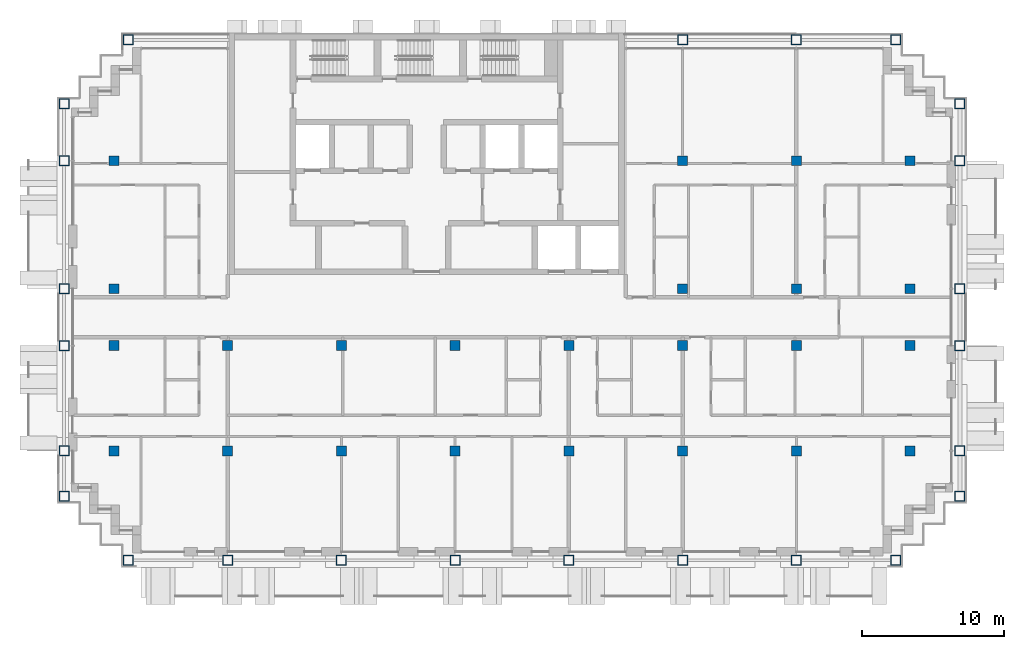
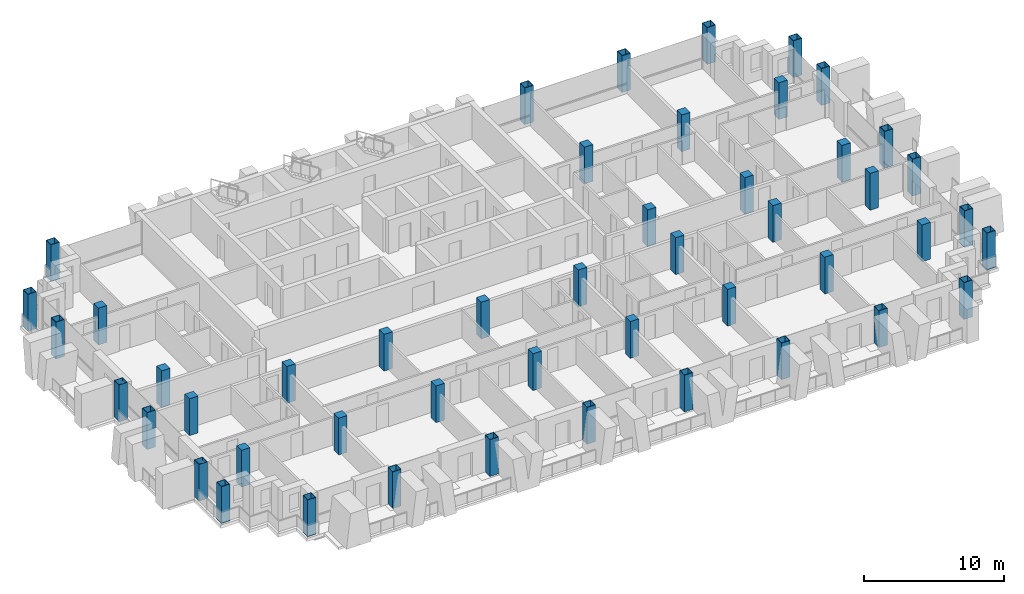
# One storey, part 1 of 16: 48 columns.
"""IFC4 building model written with IfcOpenShell, lengths in metres."""

from ifc_helpers import new_model, si_unit, direction, frame, origin, origin_2d, place, context, subcontext, project, spatial, rectangle, hollow_rectangle, extrude, material, material_profile, profile_set, type_object, element, save


model = new_model("IFC4")

# Units and contexts
model_context = context("Model", 3, precision=1e-05, world=origin(), true_north=direction((0.0, 1.0)))
body_context = subcontext(model_context, "Body", "Model", "MODEL_VIEW")
ifc_project = project(units=[si_unit("LENGTHUNIT", "METRE"), si_unit("AREAUNIT", "SQUARE_METRE"), si_unit("VOLUMEUNIT", "CUBIC_METRE"), si_unit("PLANEANGLEUNIT", "RADIAN"), si_unit("MASSUNIT", "GRAM", prefix="KILO")], contexts=[model_context])

# Site, building, storey
site_placement = place(None, origin())
site = spatial("IfcSite", under=ifc_project, at=site_placement, CompositionType="ELEMENT")
building_placement = place(site_placement, origin())
building = spatial("IfcBuilding", under=site, at=building_placement, Name="Vidyagriha Tower", CompositionType="ELEMENT")
storey_placement = place(building_placement, frame((0.0, 0.0, 184.5)))
storey = spatial("IfcBuildingStorey", under=building, at=storey_placement, Name="L48", CompositionType="ELEMENT", Elevation=184.5)

# Columns
ifc_material_1 = material(Name="Steel ASTM A572 Grade 50", Category="steel")
ifc_material_profile_1 = material_profile(ifc_material_1, hollow_rectangle(XDim=0.699951171875, YDim=0.699951171875, WallThickness=0.035888671875, at=origin_2d()), Name="BOX 700x700x36")
ifc_profile_set_1 = profile_set([ifc_material_profile_1], Name="Steel ASTM A572 Grade 50")
column_type_1 = type_object("IfcColumnType", Name="Exoskeleton column BOX 700x700x36", PredefinedType="COLUMN", material=ifc_profile_set_1)
for number, where, name in (
    (1, (-21.0, -17.10009765625, 0.0), "st-col-L48-B4-001"),
    (2, (-14.0, -17.10009765625, 0.0), "st-col-L48-B4-002"),
    (3, (-6.0, -17.10009765625, 0.0), "st-col-L48-B4-003"),
    (4, (2.0, -17.10009765625, 0.0), "st-col-L48-B4-004"),
    (5, (10.0, -17.10009765625, 0.0), "st-col-L48-B4-005"),
    (6, (18.0, -17.10009765625, 0.0), "st-col-L48-B4-006"),
    (7, (26.0, -17.10009765625, 0.0), "st-col-L48-B4-007"),
    (8, (33.0, -17.10009765625, 0.0), "st-col-L48-B4-008"),
    (9, (-25.5, -12.60009765625, 0.0), "st-col-L48-B4-009"),
    (10, (37.5, -12.60009765625, 0.0), "st-col-L48-B4-010"),
    (11, (-25.5, -9.39990234375, 0.0), "st-col-L48-B4-011"),
    (12, (37.5, -9.39990234375, 0.0), "st-col-L48-B4-020"),
    (13, (-25.5, -2.0, 0.0), "st-col-L48-B4-021"),
    (14, (37.5, -2.0, 0.0), "st-col-L48-B4-030"),
    (15, (-25.5, 2.0, 0.0), "st-col-L48-B4-031"),
    (16, (37.5, 2.0, 0.0), "st-col-L48-B4-036"),
    (17, (-25.5, 11.0, 0.0), "st-col-L48-B4-037"),
    (18, (37.5, 11.0, 0.0), "st-col-L48-B4-042"),
    (19, (-25.5, 15.0, 0.0), "st-col-L48-B4-043"),
    (20, (37.5, 15.0, 0.0), "st-col-L48-B4-044"),
    (21, (-21.0, 19.5, 0.0), "st-col-L48-B4-045"),
    (22, (18.0, 19.5, 0.0), "st-col-L48-B4-046"),
    (23, (26.0, 19.5, 0.0), "st-col-L48-B4-047"),
    (24, (33.0, 19.5, 0.0), "st-col-L48-B4-048"),
):
    element("IfcColumn", number, at=place(storey_placement, frame(where)), inside=storey, type_object=column_type_1, Name=name, PredefinedType="COLUMN", context=body_context, shape_type="SweptSolid", body=[
        extrude(hollow_rectangle(XDim=0.699951171875, YDim=0.699951171875, WallThickness=0.035888671875, at=origin_2d()), origin(), (0.0, 0.0, 1.0), 3.199951171875),
    ])
ifc_material_2 = material(Name="Concrete C60/75", Category="concrete")
ifc_material_profile_2 = material_profile(ifc_material_2, rectangle(XDim=0.699951171875, YDim=0.699951171875, at=origin_2d()), Name="RC 700x700")
ifc_profile_set_2 = profile_set([ifc_material_profile_2], Name="Concrete C60/75")
column_type_2 = type_object("IfcColumnType", Name="Frame column RC 700x700", PredefinedType="COLUMN", material=ifc_profile_set_2)
for number, where, name in (
    (25, (-22.0, -9.39990234375, 0.0), "st-col-L48-B4-012"),
    (26, (-14.0, -9.39990234375, 0.0), "st-col-L48-B4-013"),
    (27, (-6.0, -9.39990234375, 0.0), "st-col-L48-B4-014"),
    (28, (2.0, -9.39990234375, 0.0), "st-col-L48-B4-015"),
    (29, (10.0, -9.39990234375, 0.0), "st-col-L48-B4-016"),
    (30, (18.0, -9.39990234375, 0.0), "st-col-L48-B4-017"),
    (31, (26.0, -9.39990234375, 0.0), "st-col-L48-B4-018"),
    (32, (34.0, -9.39990234375, 0.0), "st-col-L48-B4-019"),
    (33, (-22.0, -2.0, 0.0), "st-col-L48-B4-022"),
    (34, (-14.0, -2.0, 0.0), "st-col-L48-B4-023"),
    (35, (-6.0, -2.0, 0.0), "st-col-L48-B4-024"),
    (36, (2.0, -2.0, 0.0), "st-col-L48-B4-025"),
    (37, (10.0, -2.0, 0.0), "st-col-L48-B4-026"),
    (38, (18.0, -2.0, 0.0), "st-col-L48-B4-027"),
    (39, (26.0, -2.0, 0.0), "st-col-L48-B4-028"),
    (40, (34.0, -2.0, 0.0), "st-col-L48-B4-029"),
    (41, (-22.0, 2.0, 0.0), "st-col-L48-B4-032"),
    (42, (18.0, 2.0, 0.0), "st-col-L48-B4-033"),
    (43, (26.0, 2.0, 0.0), "st-col-L48-B4-034"),
    (44, (34.0, 2.0, 0.0), "st-col-L48-B4-035"),
    (45, (-22.0, 11.0, 0.0), "st-col-L48-B4-038"),
    (46, (18.0, 11.0, 0.0), "st-col-L48-B4-039"),
    (47, (26.0, 11.0, 0.0), "st-col-L48-B4-040"),
    (48, (34.0, 11.0, 0.0), "st-col-L48-B4-041"),
):
    element("IfcColumn", number, at=place(storey_placement, frame(where)), inside=storey, type_object=column_type_2, Name=name, PredefinedType="COLUMN", context=body_context, shape_type="SweptSolid", body=[
        extrude(rectangle(XDim=0.699951171875, YDim=0.699951171875, at=origin_2d()), origin(), (0.0, 0.0, 1.0), 3.199951171875),
    ])

save(model, "model.ifc")
